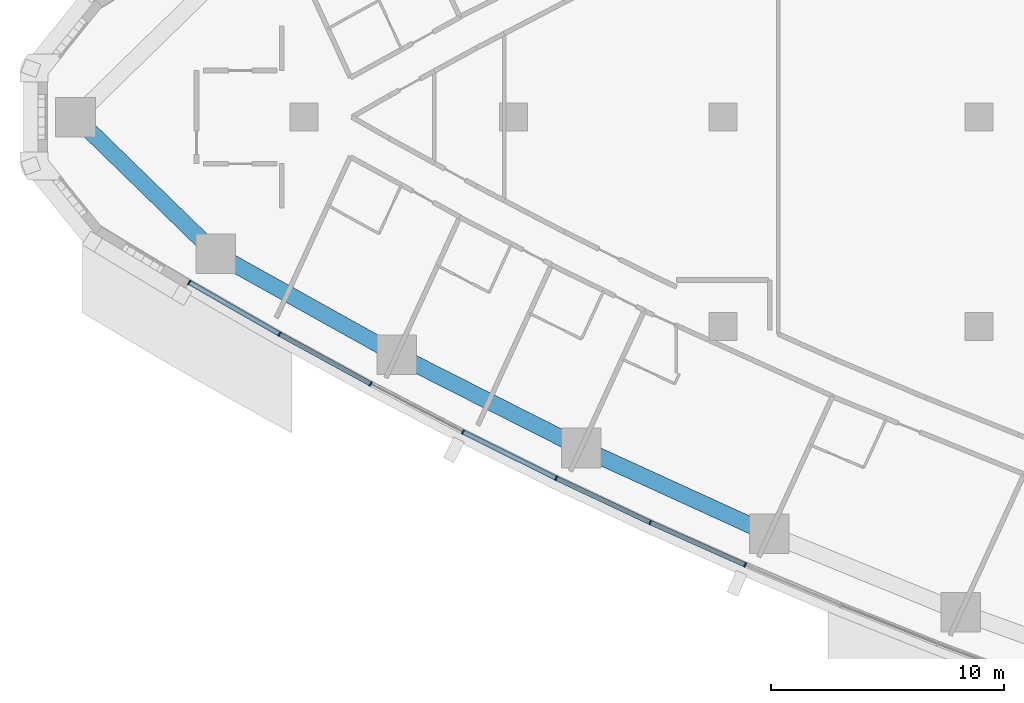
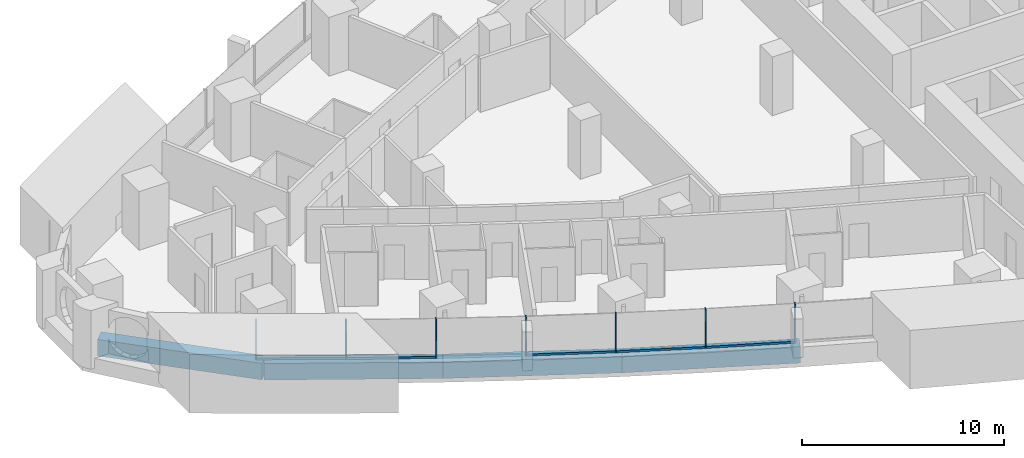
# One storey, part 2 of 17: 12 members, 4 beams, 3 elements without a shape of their own.
"""IFC4 building model written with IfcOpenShell, lengths in metres."""

from ifc_helpers import new_model, si_unit, direction, frame, origin, origin_2d, place, context, subcontext, project, spatial, rectangle, extrude, material, layer, layer_set, material_profile, profile_set, type_object, element, aggregate, save


model = new_model("IFC4")

# Units and contexts
model_context = context("Model", 3, precision=1e-05, world=origin(), true_north=direction((0.0, 1.0)))
body_context = subcontext(model_context, "Body", "Model", "MODEL_VIEW")
ifc_project = project(units=[si_unit("LENGTHUNIT", "METRE"), si_unit("AREAUNIT", "SQUARE_METRE"), si_unit("VOLUMEUNIT", "CUBIC_METRE"), si_unit("PLANEANGLEUNIT", "RADIAN"), si_unit("MASSUNIT", "GRAM", prefix="KILO")], contexts=[model_context])

# Site, building, storey
site_placement = place(None, origin())
site = spatial("IfcSite", under=ifc_project, at=site_placement, CompositionType="ELEMENT")
building_placement = place(site_placement, origin())
building = spatial("IfcBuilding", under=site, at=building_placement, Name="Ostrand Prow Hotel Tower", CompositionType="ELEMENT")
storey_placement = place(building_placement, frame((0.0, 0.0, 95.550048828125)))
storey = spatial("IfcBuildingStorey", under=building, at=storey_placement, Name="L22", CompositionType="ELEMENT", Elevation=95.550048828125)

# Beams
ifc_material_1 = material(Name="Concrete C80/95", Category="concrete")
ifc_material_profile_1 = material_profile(ifc_material_1, rectangle(XDim=0.699951171875, YDim=1.0, at=origin_2d()), Name="RC 700x1000")
ifc_profile_set_1 = profile_set([ifc_material_profile_1], Name="Concrete C80/95")
beam_type = type_object("IfcBeamType", Name="Edge beam 700x1000 C80/95", PredefinedType="SPANDREL", material=ifc_profile_set_1)
beam_1_placement = place(storey_placement, frame((6.193115234375, 0.0, -0.800048828125), z_axis=(0.716082759826, -0.698015387423, 0.0), x_axis=(0.698015387423, 0.716082759826, 0.0)))
element("IfcBeam", 1, at=beam_1_placement, inside=storey, type_object=beam_type, Name="Edge beam P-S1", PredefinedType="SPANDREL", context=body_context, shape_type="SweptSolid", body=[
    extrude(rectangle(XDim=0.699951171875, YDim=1.0, at=origin_2d()), origin(), (0.0, 0.0, 1.0), 8.41845703125),
])
beam_2_placement = place(storey_placement, frame((12.221435546875, -5.876220703125, -0.800048828125), z_axis=(0.873452439955, -0.486909473245, 0.0), x_axis=(0.486909473245, 0.873452439955, 0.0)))
element("IfcBeam", 2, at=beam_2_placement, inside=storey, type_object=beam_type, Name="Edge beam S1-S2", PredefinedType="SPANDREL", context=body_context, shape_type="SweptSolid", body=[
    extrude(rectangle(XDim=0.699951171875, YDim=1.0, at=origin_2d()), origin(), (0.0, 0.0, 1.0), 8.883544921875),
])
beam_3_placement = place(storey_placement, frame((19.980712890625, -10.20166015625, -0.800048828125), z_axis=(0.892284288592, -0.451473973039, 0.0), x_axis=(0.451473973039, 0.892284288592, 0.0)))
element("IfcBeam", 3, at=beam_3_placement, inside=storey, type_object=beam_type, Name="Edge beam S2-S3", PredefinedType="SPANDREL", context=body_context, shape_type="SweptSolid", body=[
    extrude(rectangle(XDim=0.699951171875, YDim=1.0, at=origin_2d()), origin(), (0.0, 0.0, 1.0), 8.883056640625),
])
beam_4_placement = place(storey_placement, frame((27.906982421875, -14.212158203125, -0.800048828125), z_axis=(0.909681006953, -0.415307675813, 0.0), x_axis=(0.415307675813, 0.909681006953, 0.0)))
element("IfcBeam", 4, at=beam_4_placement, inside=storey, type_object=beam_type, Name="Edge beam S3-S4", PredefinedType="SPANDREL", context=body_context, shape_type="SweptSolid", body=[
    extrude(rectangle(XDim=0.699951171875, YDim=1.0, at=origin_2d()), origin(), (0.0, 0.0, 1.0), 8.883544921875),
])

# Curtain wall, members
ifc_material_2 = material(Name="Insulated glass in bronze anodised frame", Category="glass")
ifc_layer = layer(ifc_material_2, 0.199951171875)
ifc_layer_set = layer_set([ifc_layer], Name="Insulated glass in bronze anodised frame")
curtain_wall_type = type_object("IfcCurtainWallType", Name="Strip curtain wall, fritted glass over bronze spandrel", PredefinedType="NOTDEFINED", material=ifc_layer_set)
curtain_wall_1_placement = place(storey_placement, origin())
curtain_wall_1 = element("IfcCurtainWall", 5, at=curtain_wall_1_placement, inside=storey, type_object=curtain_wall_type, Name="CW1 run CWS1", PredefinedType="NOTDEFINED")
ifc_material_3 = material(Name="Bronze anodised aluminium", Category="aluminium")
ifc_material_profile_2 = material_profile(ifc_material_3, rectangle(XDim=0.199951171875, YDim=0.06005859375, at=origin_2d()), Name="Mullion 60x200 bronze anodised aluminium")
ifc_profile_set_2 = profile_set([ifc_material_profile_2], Name="Bronze anodised aluminium")
member_type_1 = type_object("IfcMemberType", Name="Mullion 60x200 bronze anodised aluminium", PredefinedType="MULLION", material=ifc_profile_set_2)
member_1_placement = place(storey_placement, frame((11.076416015625, -7.099853515625, 0.89990234375), z_axis=(0.0, 0.0, 1.0), x_axis=(0.497114806368, 0.867684775301, 0.0)))
member_1 = element("IfcMember", 6, at=member_1_placement, type_object=member_type_1, Name="CW1 mullion 1", PredefinedType="MULLION", context=body_context, shape_type="SweptSolid", body=[
    extrude(rectangle(XDim=0.199951171875, YDim=0.06005859375, at=origin_2d()), origin(), (0.0, 0.0, 1.0), 2.35009765625),
])
member_2_placement = place(storey_placement, frame((14.951416015625, -9.320068359375, 0.89990234375), z_axis=(0.0, 0.0, 1.0), x_axis=(0.479637052103, 0.877466978439, 0.0)))
member_2 = element("IfcMember", 7, at=member_2_placement, type_object=member_type_1, Name="CW1 mullion 2", PredefinedType="MULLION", context=body_context, shape_type="SweptSolid", body=[
    extrude(rectangle(XDim=0.199951171875, YDim=0.06005859375, at=origin_2d()), origin(), (0.0, 0.0, 1.0), 2.35009765625),
])
member_3_placement = place(storey_placement, frame((18.870361328125, -11.4619140625, 0.89990234375), z_axis=(0.0, 0.0, 1.0), x_axis=(0.479637052103, 0.877466978439, 0.0)))
member_3 = element("IfcMember", 8, at=member_3_placement, type_object=member_type_1, Name="CW1 mullion 3", PredefinedType="MULLION", context=body_context, shape_type="SweptSolid", body=[
    extrude(rectangle(XDim=0.199951171875, YDim=0.06005859375, at=origin_2d()), origin(), (0.0, 0.0, 1.0), 2.35009765625),
])

curtain_wall_2_placement = place(storey_placement, origin())
curtain_wall_2 = element("IfcCurtainWall", 9, at=curtain_wall_2_placement, inside=storey, type_object=curtain_wall_type, Name="CW1 run CWS2", PredefinedType="NOTDEFINED")
member_4_placement = place(storey_placement, frame((22.831298828125, -13.525146484375, 0.89990234375), z_axis=(0.0, 0.0, 1.0), x_axis=(0.44411295748, 0.895970803653, 0.0)))
member_4 = element("IfcMember", 10, at=member_4_placement, type_object=member_type_1, Name="CW1 mullion 2", PredefinedType="MULLION", context=body_context, shape_type="SweptSolid", body=[
    extrude(rectangle(XDim=0.199951171875, YDim=0.06005859375, at=origin_2d()), origin(), (0.0, 0.0, 1.0), 2.35009765625),
])
member_5_placement = place(storey_placement, frame((26.83251953125, -15.508544921875, 0.89990234375), z_axis=(0.0, 0.0, 1.0), x_axis=(0.44411295748, 0.895970803653, 0.0)))
member_5 = element("IfcMember", 11, at=member_5_placement, type_object=member_type_1, Name="CW1 mullion 3", PredefinedType="MULLION", context=body_context, shape_type="SweptSolid", body=[
    extrude(rectangle(XDim=0.199951171875, YDim=0.06005859375, at=origin_2d()), origin(), (0.0, 0.0, 1.0), 2.35009765625),
])

curtain_wall_3_placement = place(storey_placement, origin())
curtain_wall_3 = element("IfcCurtainWall", 12, at=curtain_wall_3_placement, inside=storey, type_object=curtain_wall_type, Name="CW1 run CWS3", PredefinedType="NOTDEFINED")
member_6_placement = place(storey_placement, frame((30.872802734375, -17.41162109375, 0.89990234375), z_axis=(0.0, 0.0, 1.0), x_axis=(0.407874755419, 0.913037887435, 0.0)))
member_6 = element("IfcMember", 13, at=member_6_placement, type_object=member_type_1, Name="CW1 mullion 2", PredefinedType="MULLION", context=body_context, shape_type="SweptSolid", body=[
    extrude(rectangle(XDim=0.199951171875, YDim=0.06005859375, at=origin_2d()), origin(), (0.0, 0.0, 1.0), 2.35009765625),
])
member_7_placement = place(storey_placement, frame((34.95068359375, -19.233154296875, 0.89990234375), z_axis=(0.0, 0.0, 1.0), x_axis=(0.407874755419, 0.913037887435, 0.0)))
member_7 = element("IfcMember", 14, at=member_7_placement, type_object=member_type_1, Name="CW1 mullion 3", PredefinedType="MULLION", context=body_context, shape_type="SweptSolid", body=[
    extrude(rectangle(XDim=0.199951171875, YDim=0.06005859375, at=origin_2d()), origin(), (0.0, 0.0, 1.0), 2.35009765625),
])

# Member
ifc_material_4 = material(Name="Bronze anodised aluminium", Category="aluminium")
ifc_material_profile_3 = material_profile(ifc_material_4, rectangle(XDim=0.199951171875, YDim=0.1201171875, at=origin_2d()), Name="Transom 120x200 bronze anodised aluminium")
ifc_profile_set_3 = profile_set([ifc_material_profile_3], Name="Bronze anodised aluminium")
member_type_2 = type_object("IfcMemberType", Name="Transom 120x200 bronze anodised aluminium", PredefinedType="USERDEFINED", material=ifc_profile_set_3)
member_8_placement = place(storey_placement, frame((11.1025390625, -7.11474609375, 0.9599609375), z_axis=(0.86766970623, -0.497141107625, 0.0), x_axis=(0.497141107625, 0.86766970623, 0.0)))
member_8 = element("IfcMember", 15, at=member_8_placement, type_object=member_type_2, Name="CW1 transom 1.1", ObjectType="TRANSOM", PredefinedType="USERDEFINED", context=body_context, shape_type="SweptSolid", body=[
    extrude(rectangle(XDim=0.199951171875, YDim=0.1201171875, at=origin_2d()), origin(), (0.0, 0.0, 1.0), 4.406005859375),
])

member_9_placement = place(storey_placement, frame((14.977783203125, -9.33447265625, 0.9599609375), z_axis=(0.877471714137, -0.479628388328, 0.0), x_axis=(0.479628388328, 0.877471714137, 0.0)))
member_9 = element("IfcMember", 16, at=member_9_placement, type_object=member_type_2, Name="CW1 transom 2.1", ObjectType="TRANSOM", PredefinedType="USERDEFINED", context=body_context, shape_type="SweptSolid", body=[
    extrude(rectangle(XDim=0.199951171875, YDim=0.1201171875, at=origin_2d()), origin(), (0.0, 0.0, 1.0), 4.406005859375),
])

aggregate(curtain_wall_1, [member_1, member_2, member_3, member_8, member_9])

member_10_placement = place(storey_placement, frame((22.858154296875, -13.53857421875, 0.9599609375), z_axis=(0.895962348168, -0.444130015497, 0.0), x_axis=(0.444130015497, 0.895962348168, 0.0)))
member_10 = element("IfcMember", 17, at=member_10_placement, type_object=member_type_2, Name="CW1 transom 2.1", ObjectType="TRANSOM", PredefinedType="USERDEFINED", context=body_context, shape_type="SweptSolid", body=[
    extrude(rectangle(XDim=0.199951171875, YDim=0.1201171875, at=origin_2d()), origin(), (0.0, 0.0, 1.0), 4.406005859375),
])

aggregate(curtain_wall_2, [member_4, member_5, member_10])

member_11_placement = place(storey_placement, frame((26.859619140625, -15.521484375, 0.9599609375), z_axis=(0.904696854963, -0.42605586561, 0.0), x_axis=(0.42605586561, 0.904696854963, 0.0)))
member_11 = element("IfcMember", 18, at=member_11_placement, type_object=member_type_2, Name="CW1 transom 1.1", ObjectType="TRANSOM", PredefinedType="USERDEFINED", context=body_context, shape_type="SweptSolid", body=[
    extrude(rectangle(XDim=0.199951171875, YDim=0.1201171875, at=origin_2d()), origin(), (0.0, 0.0, 1.0), 4.406005859375),
])

member_12_placement = place(storey_placement, frame((30.900390625, -17.423583984375, 0.9599609375), z_axis=(0.913030665163, -0.407890922271, 0.0), x_axis=(0.407890922271, 0.913030665163, 0.0)))
member_12 = element("IfcMember", 19, at=member_12_placement, type_object=member_type_2, Name="CW1 transom 2.1", ObjectType="TRANSOM", PredefinedType="USERDEFINED", context=body_context, shape_type="SweptSolid", body=[
    extrude(rectangle(XDim=0.199951171875, YDim=0.1201171875, at=origin_2d()), origin(), (0.0, 0.0, 1.0), 4.40576171875),
])

aggregate(curtain_wall_3, [member_6, member_7, member_11, member_12])

save(model, "model.ifc")
